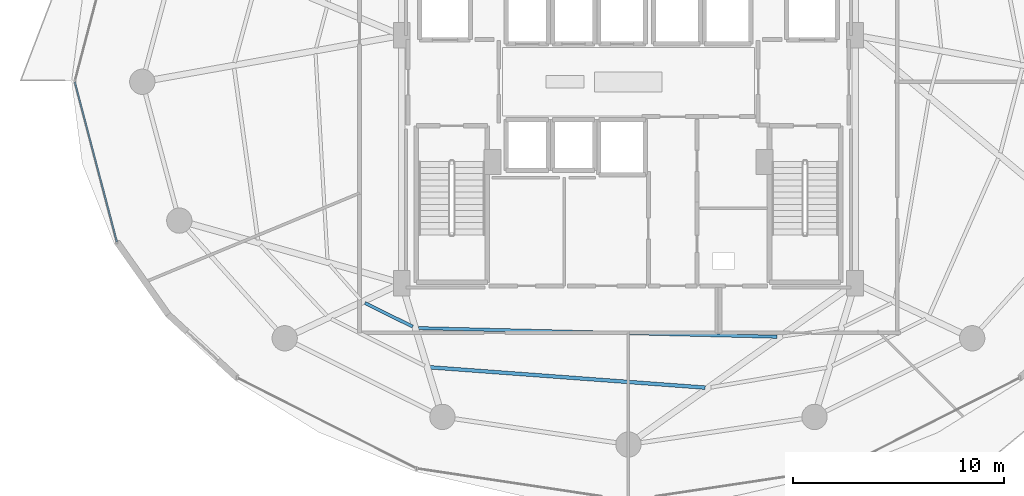
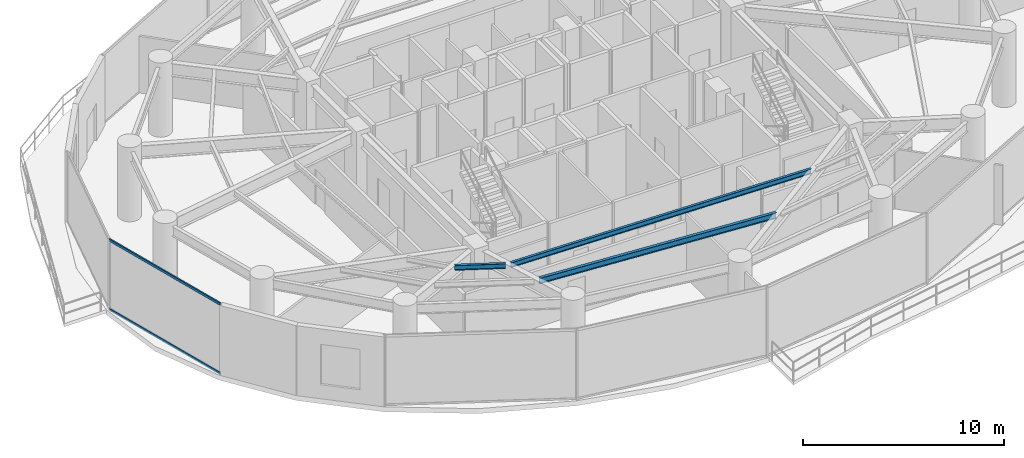
# One storey, part 5 of 27: 3 beams, 2 members, 1 element without a shape of its own.
"""IFC4 building model written with IfcOpenShell, lengths in metres."""

from ifc_helpers import new_model, si_unit, direction, frame, origin, origin_2d, place, context, subcontext, project, spatial, hollow_rectangle, i_section, extrude, material, material_profile, profile_set, type_object, element, aggregate, save


model = new_model("IFC4")

# Units and contexts
model_context = context("Model", 3, precision=1e-05, world=origin(), true_north=direction((0.0, 1.0)))
body_context = subcontext(model_context, "Body", "Model", "MODEL_VIEW")
ifc_project = project(units=[si_unit("LENGTHUNIT", "METRE"), si_unit("AREAUNIT", "SQUARE_METRE"), si_unit("VOLUMEUNIT", "CUBIC_METRE"), si_unit("PLANEANGLEUNIT", "RADIAN"), si_unit("MASSUNIT", "GRAM", prefix="KILO")], contexts=[model_context])

# Site, building, storey
site_placement = place(None, origin())
site = spatial("IfcSite", under=ifc_project, at=site_placement, CompositionType="ELEMENT")
building_placement = place(site_placement, origin())
building = spatial("IfcBuilding", under=site, at=building_placement, Name="Vorneva Point Tower", CompositionType="ELEMENT")
storey_placement = place(building_placement, frame((0.0, 0.0, 74.300048828125)))
storey = spatial("IfcBuildingStorey", under=building, at=storey_placement, Name="L19", CompositionType="ELEMENT", Elevation=74.300048828125)

# Beams
ifc_material_1 = material(Name="Steel S355", Category="steel")
ifc_material_profile_1 = material_profile(ifc_material_1, i_section(OverallWidth=0.14892578125, OverallDepth=0.298095703125, WebThickness=0.005615234375, FlangeThickness=0.008056640625, at=origin_2d()), Name="30B1")
ifc_profile_set_1 = profile_set([ifc_material_profile_1], Name="Steel S355")
beam_type_1 = type_object("IfcBeamType", Name="BM-JST-30B1", PredefinedType="JOIST", material=ifc_profile_set_1)
beam_1_placement = place(storey_placement, frame((25.511962890625, 15.51220703125, 4.091064453125), z_axis=(0.895218442501, -0.445627580167, 0.0), x_axis=(0.445627580167, 0.895218442501, 0.0)))
element("IfcBeam", 1, at=beam_1_placement, inside=storey, type_object=beam_type_1, Name="L19 Secondary Floor Beam 2.11", PredefinedType="JOIST", context=body_context, shape_type="SweptSolid", body=[
    extrude(i_section(OverallWidth=0.14892578125, OverallDepth=0.298095703125, WebThickness=0.005615234375, FlangeThickness=0.008056640625, at=origin_2d()), origin(), (0.0, 0.0, 1.0), 2.525634765625),
])
beam_2_placement = place(storey_placement, frame((28.034423828125, 14.322021484375, 4.091064453125), z_axis=(0.999705347388, -0.024273821381, 0.0), x_axis=(0.024273821381, 0.999705347388, 0.0)))
element("IfcBeam", 2, at=beam_2_placement, inside=storey, type_object=beam_type_1, Name="L19 Secondary Floor Beam 2.12", PredefinedType="JOIST", context=body_context, shape_type="SweptSolid", body=[
    extrude(i_section(OverallWidth=0.14892578125, OverallDepth=0.298095703125, WebThickness=0.005615234375, FlangeThickness=0.008056640625, at=origin_2d()), origin(), (0.0, 0.0, 1.0), 17.0078125),
])
ifc_material_profile_2 = material_profile(ifc_material_1, i_section(OverallWidth=0.174072265625, OverallDepth=0.345947265625, WebThickness=0.006103515625, FlangeThickness=0.009033203125, at=origin_2d()), Name="35B1")
ifc_profile_set_2 = profile_set([ifc_material_profile_2], Name="Steel S355")
beam_type_2 = type_object("IfcBeamType", Name="BM-SEC-35B1", PredefinedType="BEAM", material=ifc_profile_set_2)
beam_3_placement = place(storey_placement, frame((28.59814453125, 12.461181640625, 4.06689453125), z_axis=(0.997283980428, -0.07365230737, 0.0), x_axis=(0.07365230737, 0.997283980428, 0.0)))
element("IfcBeam", 3, at=beam_3_placement, inside=storey, type_object=beam_type_2, Name="L19 Secondary Floor Beam 1.12", PredefinedType="BEAM", context=body_context, shape_type="SweptSolid", body=[
    extrude(i_section(OverallWidth=0.174072265625, OverallDepth=0.345947265625, WebThickness=0.006103515625, FlangeThickness=0.009033203125, at=origin_2d()), origin(), (0.0, 0.0, 1.0), 13.07666015625),
])

# Curtain wall, members
ifc_material_2 = material(Name="Pale anodised aluminium", Category="aluminium")
curtain_wall_type = type_object("IfcCurtainWallType", Name="CW-SKY-SYS", PredefinedType="NOTDEFINED", material=ifc_material_2)
curtain_wall_placement = place(storey_placement, origin())
curtain_wall = element("IfcCurtainWall", 4, at=curtain_wall_placement, inside=storey, type_object=curtain_wall_type, Name="L19 Unitised Curtain Wall CW-L19-R03", PredefinedType="NOTDEFINED")
ifc_material_profile_3 = material_profile(ifc_material_2, hollow_rectangle(XDim=0.074951171875, YDim=0.14990234375, WallThickness=0.00390625, at=origin_2d()), Name="AL-TRN 150x75x4")
ifc_profile_set_3 = profile_set([ifc_material_profile_3], Name="Pale anodised aluminium")
member_type = type_object("IfcMemberType", Name="CW-TRN-150", PredefinedType="USERDEFINED", material=ifc_profile_set_3)
member_1_placement = place(storey_placement, frame((11.75, 26.0, 0.02001953125), z_axis=(0.254409150465, -0.967096677773, 0.0), x_axis=(0.967096677773, 0.254409150465, 0.0)))
member_1 = element("IfcMember", 5, at=member_1_placement, type_object=member_type, Name="CW-L19-R03 Transom 02.1", ObjectType="TRANSOM", PredefinedType="USERDEFINED", context=body_context, shape_type="SweptSolid", body=[
    extrude(hollow_rectangle(XDim=0.074951171875, YDim=0.14990234375, WallThickness=0.00390625, at=origin_2d()), origin(), (0.0, 0.0, 1.0), 7.854736328125),
])
member_2_placement = place(storey_placement, frame((11.75, 26.0, 4.219970703125), z_axis=(0.254409150465, -0.967096677773, 0.0), x_axis=(0.967096677773, 0.254409150465, 0.0)))
member_2 = element("IfcMember", 6, at=member_2_placement, type_object=member_type, Name="CW-L19-R03 Transom 02.2", ObjectType="TRANSOM", PredefinedType="USERDEFINED", context=body_context, shape_type="SweptSolid", body=[
    extrude(hollow_rectangle(XDim=0.074951171875, YDim=0.14990234375, WallThickness=0.00390625, at=origin_2d()), origin(), (0.0, 0.0, 1.0), 7.854736328125),
])
aggregate(curtain_wall, [member_1, member_2])

save(model, "model.ifc")
